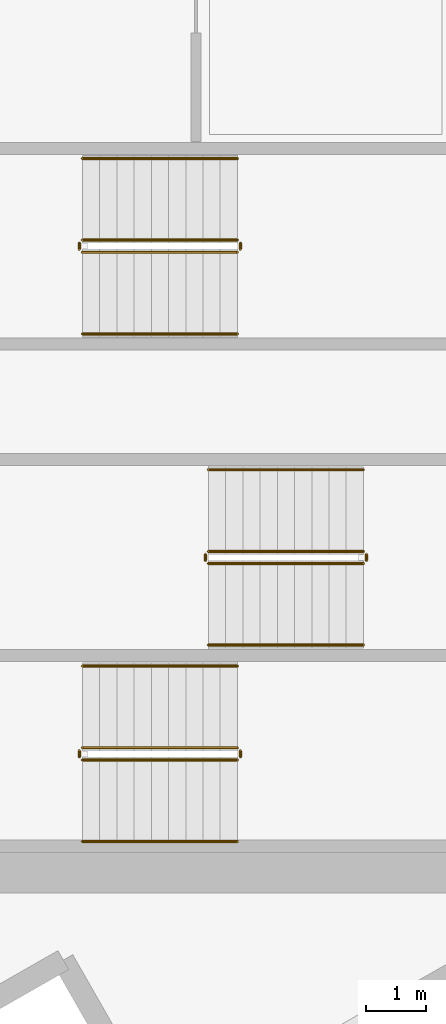
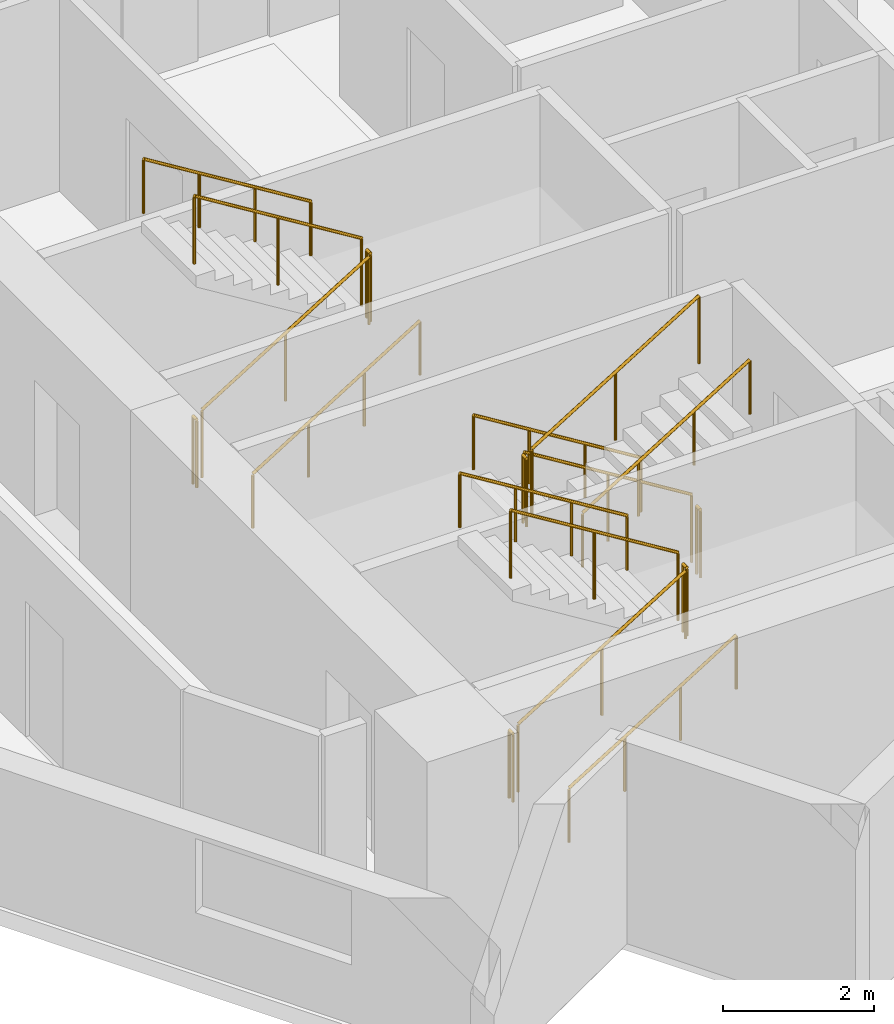
# One storey, part 12 of 13: 18 railings.
"""IFC4 building model written with IfcOpenShell, lengths in metres."""

from ifc_helpers import new_model, si_unit, direction, frame, origin, origin_2d, place, context, subcontext, project, spatial, circle, extrude, material, type_object, element, save


model = new_model("IFC4")

# Units and contexts
model_context = context("Model", 3, precision=1e-05, world=origin(), true_north=direction((0.0, 1.0)))
body_context = subcontext(model_context, "Body", "Model", "MODEL_VIEW")
ifc_project = project(units=[si_unit("LENGTHUNIT", "METRE"), si_unit("AREAUNIT", "SQUARE_METRE"), si_unit("VOLUMEUNIT", "CUBIC_METRE"), si_unit("PLANEANGLEUNIT", "RADIAN"), si_unit("MASSUNIT", "GRAM", prefix="KILO")], contexts=[model_context])

# Site, building, storey
site_placement = place(None, origin())
site = spatial("IfcSite", under=ifc_project, at=site_placement, CompositionType="ELEMENT")
building_placement = place(site_placement, origin())
building = spatial("IfcBuilding", under=site, at=building_placement, Name="Narakoshi Arena Tower", CompositionType="ELEMENT")
storey_placement = place(building_placement, frame((0.0, 0.0, 229.06005859375)))
storey = spatial("IfcBuildingStorey", under=building, at=storey_placement, Name="L62", CompositionType="ELEMENT", Elevation=229.06005859375)

# Railings
ifc_material_1 = material(Name="Clear low-iron laminated structural glass", Category="glass")
railing_type_1 = type_object("IfcRailingType", Name="RL-BAL-1100", PredefinedType="BALUSTRADE", material=ifc_material_1)
railing_1_placement = place(storey_placement, frame((74.39990234375, 36.949951171875, 0.176025390625)))
element("IfcRailing", 1, at=railing_1_placement, inside=storey, type_object=railing_type_1, Name="L62 ST1 stair guard 1", PredefinedType="BALUSTRADE", context=body_context, shape_type="SweptSolid", body=[
    extrude(circle(Radius=0.02392578125, at=origin_2d()), frame((0.0, 0.0, 1.09619140625), z_axis=(0.850856559306, 0.0, 0.525398054323), x_axis=(0.0, 1.0, 0.0)), (0.0, 0.0, 1.0), 3.014892578125),
    extrude(circle(Radius=0.02099609375, at=origin_2d()), origin(), (0.0, 0.0, 1.0), 1.072021484375),
    extrude(circle(Radius=0.02099609375, at=origin_2d()), frame((1.28271484375, 0.0, 0.7919921875)), (0.0, 0.0, 1.0), 1.072021484375),
    extrude(circle(Radius=0.02099609375, at=origin_2d()), frame((2.565185546875, 0.0, 1.583984375)), (0.0, 0.0, 1.0), 1.072021484375),
])
railing_2_placement = place(storey_placement, frame((77.014892578125, 37.0, 1.760009765625)))
element("IfcRailing", 2, at=railing_2_placement, inside=storey, type_object=railing_type_1, Name="L62 ST1 stair guard 2", PredefinedType="BALUSTRADE", context=body_context, shape_type="SweptSolid", body=[
    extrude(circle(Radius=0.02392578125, at=origin_2d()), frame((0.0, 0.0, 1.09619140625), z_axis=(0.0, 1.0, 0.0), x_axis=(-1.0, 0.0, 0.0)), (0.0, 0.0, 1.0), 0.10009765625),
    extrude(circle(Radius=0.02099609375, at=origin_2d()), origin(), (0.0, 0.0, 1.0), 1.072021484375),
    extrude(circle(Radius=0.02099609375, at=origin_2d()), frame((0.0, 0.10009765625, 0.0)), (0.0, 0.0, 1.0), 1.072021484375),
])
railing_3_placement = place(storey_placement, frame((76.965087890625, 37.14990234375, 1.93603515625)))
element("IfcRailing", 3, at=railing_3_placement, inside=storey, type_object=railing_type_1, Name="L62 ST1 stair guard 3", PredefinedType="BALUSTRADE", context=body_context, shape_type="SweptSolid", body=[
    extrude(circle(Radius=0.02392578125, at=origin_2d()), frame((0.0, 0.0, 1.09619140625), z_axis=(-0.850856559306, 0.0, 0.525398054323), x_axis=(0.0, -1.0, 0.0)), (0.0, 0.0, 1.0), 3.014892578125),
    extrude(circle(Radius=0.02099609375, at=origin_2d()), origin(), (0.0, 0.0, 1.0), 1.072021484375),
    extrude(circle(Radius=0.02099609375, at=origin_2d()), frame((-1.28271484375, 0.0, 0.7919921875)), (0.0, 0.0, 1.0), 1.072021484375),
    extrude(circle(Radius=0.02099609375, at=origin_2d()), frame((-2.565185546875, 0.0, 1.583984375)), (0.0, 0.0, 1.0), 1.072021484375),
])
railing_4_placement = place(storey_placement, frame((74.35009765625, 37.0, 0.0)))
element("IfcRailing", 4, at=railing_4_placement, inside=storey, type_object=railing_type_1, Name="L62 ST1 stair guard 4", PredefinedType="BALUSTRADE", context=body_context, shape_type="SweptSolid", body=[
    extrude(circle(Radius=0.02392578125, at=origin_2d()), frame((0.0, 0.0, 1.09619140625), z_axis=(0.0, 1.0, 0.0), x_axis=(-1.0, 0.0, 0.0)), (0.0, 0.0, 1.0), 0.10009765625),
    extrude(circle(Radius=0.02099609375, at=origin_2d()), origin(), (0.0, 0.0, 1.0), 1.072021484375),
    extrude(circle(Radius=0.02099609375, at=origin_2d()), frame((0.0, 0.10009765625, 0.0)), (0.0, 0.0, 1.0), 1.072021484375),
])
railing_5_placement = place(storey_placement, frame((79.050048828125, 40.39990234375, 0.176025390625)))
element("IfcRailing", 5, at=railing_5_placement, inside=storey, type_object=railing_type_1, Name="L62 ST2 stair guard 1", PredefinedType="BALUSTRADE", context=body_context, shape_type="SweptSolid", body=[
    extrude(circle(Radius=0.02392578125, at=origin_2d()), frame((0.0, 0.0, 1.09619140625), z_axis=(-0.850834203031, 0.0, 0.525434257497), x_axis=(0.0, -1.0, 0.0)), (0.0, 0.0, 1.0), 3.0146484375),
    extrude(circle(Radius=0.02099609375, at=origin_2d()), origin(), (0.0, 0.0, 1.0), 1.072021484375),
    extrude(circle(Radius=0.02099609375, at=origin_2d()), frame((-1.282470703125, 0.0, 0.7919921875)), (0.0, 0.0, 1.0), 1.072021484375),
    extrude(circle(Radius=0.02099609375, at=origin_2d()), frame((-2.56494140625, 0.0, 1.583984375)), (0.0, 0.0, 1.0), 1.072021484375),
])
railing_6_placement = place(storey_placement, frame((76.43505859375, 40.35009765625, 1.760009765625)))
element("IfcRailing", 6, at=railing_6_placement, inside=storey, type_object=railing_type_1, Name="L62 ST2 stair guard 2", PredefinedType="BALUSTRADE", context=body_context, shape_type="SweptSolid", body=[
    extrude(circle(Radius=0.02392578125, at=origin_2d()), frame((0.0, 0.0, 1.09619140625), z_axis=(0.0, -1.0, 0.0), x_axis=(1.0, 0.0, 0.0)), (0.0, 0.0, 1.0), 0.10009765625),
    extrude(circle(Radius=0.02099609375, at=origin_2d()), origin(), (0.0, 0.0, 1.0), 1.072021484375),
    extrude(circle(Radius=0.02099609375, at=origin_2d()), frame((0.0, -0.10009765625, 0.0)), (0.0, 0.0, 1.0), 1.072021484375),
])
railing_7_placement = place(storey_placement, frame((76.485107421875, 40.199951171875, 1.93603515625)))
element("IfcRailing", 7, at=railing_7_placement, inside=storey, type_object=railing_type_1, Name="L62 ST2 stair guard 3", PredefinedType="BALUSTRADE", context=body_context, shape_type="SweptSolid", body=[
    extrude(circle(Radius=0.02392578125, at=origin_2d()), frame((0.0, 0.0, 1.09619140625), z_axis=(0.850834203031, 0.0, 0.525434257497), x_axis=(0.0, 1.0, 0.0)), (0.0, 0.0, 1.0), 3.0146484375),
    extrude(circle(Radius=0.02099609375, at=origin_2d()), origin(), (0.0, 0.0, 1.0), 1.072021484375),
    extrude(circle(Radius=0.02099609375, at=origin_2d()), frame((1.282470703125, 0.0, 0.7919921875)), (0.0, 0.0, 1.0), 1.072021484375),
    extrude(circle(Radius=0.02099609375, at=origin_2d()), frame((2.56494140625, 0.0, 1.583984375)), (0.0, 0.0, 1.0), 1.072021484375),
])
railing_8_placement = place(storey_placement, frame((79.10009765625, 40.35009765625, 0.0)))
element("IfcRailing", 8, at=railing_8_placement, inside=storey, type_object=railing_type_1, Name="L62 ST2 stair guard 4", PredefinedType="BALUSTRADE", context=body_context, shape_type="SweptSolid", body=[
    extrude(circle(Radius=0.02392578125, at=origin_2d()), frame((0.0, 0.0, 1.09619140625), z_axis=(0.0, -1.0, 0.0), x_axis=(1.0, 0.0, 0.0)), (0.0, 0.0, 1.0), 0.10009765625),
    extrude(circle(Radius=0.02099609375, at=origin_2d()), origin(), (0.0, 0.0, 1.0), 1.072021484375),
    extrude(circle(Radius=0.02099609375, at=origin_2d()), frame((0.0, -0.10009765625, 0.0)), (0.0, 0.0, 1.0), 1.072021484375),
])
railing_9_placement = place(storey_placement, frame((74.39990234375, 45.35009765625, 0.176025390625)))
element("IfcRailing", 9, at=railing_9_placement, inside=storey, type_object=railing_type_1, Name="L62 ST3 stair guard 1", PredefinedType="BALUSTRADE", context=body_context, shape_type="SweptSolid", body=[
    extrude(circle(Radius=0.02392578125, at=origin_2d()), frame((0.0, 0.0, 1.09619140625), z_axis=(0.850856559306, 0.0, 0.525398054323), x_axis=(0.0, 1.0, 0.0)), (0.0, 0.0, 1.0), 3.014892578125),
    extrude(circle(Radius=0.02099609375, at=origin_2d()), origin(), (0.0, 0.0, 1.0), 1.072021484375),
    extrude(circle(Radius=0.02099609375, at=origin_2d()), frame((1.28271484375, 0.0, 0.7919921875)), (0.0, 0.0, 1.0), 1.072021484375),
    extrude(circle(Radius=0.02099609375, at=origin_2d()), frame((2.565185546875, 0.0, 1.583984375)), (0.0, 0.0, 1.0), 1.072021484375),
])
railing_10_placement = place(storey_placement, frame((77.014892578125, 45.39990234375, 1.760009765625)))
element("IfcRailing", 10, at=railing_10_placement, inside=storey, type_object=railing_type_1, Name="L62 ST3 stair guard 2", PredefinedType="BALUSTRADE", context=body_context, shape_type="SweptSolid", body=[
    extrude(circle(Radius=0.02392578125, at=origin_2d()), frame((0.0, 0.0, 1.09619140625), z_axis=(0.0, 1.0, 0.0), x_axis=(-1.0, 0.0, 0.0)), (0.0, 0.0, 1.0), 0.10009765625),
    extrude(circle(Radius=0.02099609375, at=origin_2d()), origin(), (0.0, 0.0, 1.0), 1.072021484375),
    extrude(circle(Radius=0.02099609375, at=origin_2d()), frame((0.0, 0.10009765625, 0.0)), (0.0, 0.0, 1.0), 1.072021484375),
])
railing_11_placement = place(storey_placement, frame((76.965087890625, 45.550048828125, 1.93603515625)))
element("IfcRailing", 11, at=railing_11_placement, inside=storey, type_object=railing_type_1, Name="L62 ST3 stair guard 3", PredefinedType="BALUSTRADE", context=body_context, shape_type="SweptSolid", body=[
    extrude(circle(Radius=0.02392578125, at=origin_2d()), frame((0.0, 0.0, 1.09619140625), z_axis=(-0.850856559306, 0.0, 0.525398054323), x_axis=(0.0, -1.0, 0.0)), (0.0, 0.0, 1.0), 3.014892578125),
    extrude(circle(Radius=0.02099609375, at=origin_2d()), origin(), (0.0, 0.0, 1.0), 1.072021484375),
    extrude(circle(Radius=0.02099609375, at=origin_2d()), frame((-1.28271484375, 0.0, 0.7919921875)), (0.0, 0.0, 1.0), 1.072021484375),
    extrude(circle(Radius=0.02099609375, at=origin_2d()), frame((-2.565185546875, 0.0, 1.583984375)), (0.0, 0.0, 1.0), 1.072021484375),
])
railing_12_placement = place(storey_placement, frame((74.35009765625, 45.39990234375, 0.0)))
element("IfcRailing", 12, at=railing_12_placement, inside=storey, type_object=railing_type_1, Name="L62 ST3 stair guard 4", PredefinedType="BALUSTRADE", context=body_context, shape_type="SweptSolid", body=[
    extrude(circle(Radius=0.02392578125, at=origin_2d()), frame((0.0, 0.0, 1.09619140625), z_axis=(0.0, 1.0, 0.0), x_axis=(-1.0, 0.0, 0.0)), (0.0, 0.0, 1.0), 0.10009765625),
    extrude(circle(Radius=0.02099609375, at=origin_2d()), origin(), (0.0, 0.0, 1.0), 1.072021484375),
    extrude(circle(Radius=0.02099609375, at=origin_2d()), frame((0.0, 0.10009765625, 0.0)), (0.0, 0.0, 1.0), 1.072021484375),
])
ifc_material_2 = material(Name="Brushed bronze stainless steel", Category="steel")
railing_type_2 = type_object("IfcRailingType", Name="RL-HND-900", PredefinedType="HANDRAIL", material=ifc_material_2)
railing_13_placement = place(storey_placement, frame((74.39990234375, 35.60009765625, 0.176025390625)))
element("IfcRailing", 13, at=railing_13_placement, inside=storey, type_object=railing_type_2, Name="L62 ST1 stair handrail 1", PredefinedType="HANDRAIL", context=body_context, shape_type="SweptSolid", body=[
    extrude(circle(Radius=0.02392578125, at=origin_2d()), frame((0.0, 0.0, 0.8759765625), z_axis=(0.850856559306, 0.0, 0.525398054323), x_axis=(0.0, 1.0, 0.0)), (0.0, 0.0, 1.0), 3.014892578125),
    extrude(circle(Radius=0.02099609375, at=origin_2d()), origin(), (0.0, 0.0, 1.0), 0.851806640625),
    extrude(circle(Radius=0.02099609375, at=origin_2d()), frame((0.85498046875, 0.0, 0.528076171875)), (0.0, 0.0, 1.0), 0.851806640625),
    extrude(circle(Radius=0.02099609375, at=origin_2d()), frame((1.710205078125, 0.0, 1.055908203125)), (0.0, 0.0, 1.0), 0.851806640625),
    extrude(circle(Radius=0.02099609375, at=origin_2d()), frame((2.565185546875, 0.0, 1.583984375)), (0.0, 0.0, 1.0), 0.851806640625),
])
railing_14_placement = place(storey_placement, frame((76.965087890625, 38.5, 1.93603515625)))
element("IfcRailing", 14, at=railing_14_placement, inside=storey, type_object=railing_type_2, Name="L62 ST1 stair handrail 2", PredefinedType="HANDRAIL", context=body_context, shape_type="SweptSolid", body=[
    extrude(circle(Radius=0.02392578125, at=origin_2d()), frame((0.0, 0.0, 0.8759765625), z_axis=(-0.850856559306, 0.0, 0.525398054323), x_axis=(0.0, -1.0, 0.0)), (0.0, 0.0, 1.0), 3.014892578125),
    extrude(circle(Radius=0.02099609375, at=origin_2d()), origin(), (0.0, 0.0, 1.0), 0.851806640625),
    extrude(circle(Radius=0.02099609375, at=origin_2d()), frame((-0.85498046875, 0.0, 0.528076171875)), (0.0, 0.0, 1.0), 0.851806640625),
    extrude(circle(Radius=0.02099609375, at=origin_2d()), frame((-1.710205078125, 0.0, 1.055908203125)), (0.0, 0.0, 1.0), 0.851806640625),
    extrude(circle(Radius=0.02099609375, at=origin_2d()), frame((-2.565185546875, 0.0, 1.583984375)), (0.0, 0.0, 1.0), 0.851806640625),
])
railing_15_placement = place(storey_placement, frame((79.050048828125, 41.75, 0.176025390625)))
element("IfcRailing", 15, at=railing_15_placement, inside=storey, type_object=railing_type_2, Name="L62 ST2 stair handrail 1", PredefinedType="HANDRAIL", context=body_context, shape_type="SweptSolid", body=[
    extrude(circle(Radius=0.02392578125, at=origin_2d()), frame((0.0, 0.0, 0.8759765625), z_axis=(-0.850834203031, 0.0, 0.525434257497), x_axis=(0.0, -1.0, 0.0)), (0.0, 0.0, 1.0), 3.0146484375),
    extrude(circle(Radius=0.02099609375, at=origin_2d()), origin(), (0.0, 0.0, 1.0), 0.851806640625),
    extrude(circle(Radius=0.02099609375, at=origin_2d()), frame((-0.85498046875, 0.0, 0.528076171875)), (0.0, 0.0, 1.0), 0.851806640625),
    extrude(circle(Radius=0.02099609375, at=origin_2d()), frame((-1.7099609375, 0.0, 1.055908203125)), (0.0, 0.0, 1.0), 0.851806640625),
    extrude(circle(Radius=0.02099609375, at=origin_2d()), frame((-2.56494140625, 0.0, 1.583984375)), (0.0, 0.0, 1.0), 0.851806640625),
])
railing_16_placement = place(storey_placement, frame((76.485107421875, 38.85009765625, 1.93603515625)))
element("IfcRailing", 16, at=railing_16_placement, inside=storey, type_object=railing_type_2, Name="L62 ST2 stair handrail 2", PredefinedType="HANDRAIL", context=body_context, shape_type="SweptSolid", body=[
    extrude(circle(Radius=0.02392578125, at=origin_2d()), frame((0.0, 0.0, 0.8759765625), z_axis=(0.850834203031, 0.0, 0.525434257497), x_axis=(0.0, 1.0, 0.0)), (0.0, 0.0, 1.0), 3.0146484375),
    extrude(circle(Radius=0.02099609375, at=origin_2d()), origin(), (0.0, 0.0, 1.0), 0.851806640625),
    extrude(circle(Radius=0.02099609375, at=origin_2d()), frame((0.85498046875, 0.0, 0.528076171875)), (0.0, 0.0, 1.0), 0.851806640625),
    extrude(circle(Radius=0.02099609375, at=origin_2d()), frame((1.7099609375, 0.0, 1.055908203125)), (0.0, 0.0, 1.0), 0.851806640625),
    extrude(circle(Radius=0.02099609375, at=origin_2d()), frame((2.56494140625, 0.0, 1.583984375)), (0.0, 0.0, 1.0), 0.851806640625),
])
railing_17_placement = place(storey_placement, frame((74.39990234375, 44.0, 0.176025390625)))
element("IfcRailing", 17, at=railing_17_placement, inside=storey, type_object=railing_type_2, Name="L62 ST3 stair handrail 1", PredefinedType="HANDRAIL", context=body_context, shape_type="SweptSolid", body=[
    extrude(circle(Radius=0.02392578125, at=origin_2d()), frame((0.0, 0.0, 0.8759765625), z_axis=(0.850856559306, 0.0, 0.525398054323), x_axis=(0.0, 1.0, 0.0)), (0.0, 0.0, 1.0), 3.014892578125),
    extrude(circle(Radius=0.02099609375, at=origin_2d()), origin(), (0.0, 0.0, 1.0), 0.851806640625),
    extrude(circle(Radius=0.02099609375, at=origin_2d()), frame((0.85498046875, 0.0, 0.528076171875)), (0.0, 0.0, 1.0), 0.851806640625),
    extrude(circle(Radius=0.02099609375, at=origin_2d()), frame((1.710205078125, 0.0, 1.055908203125)), (0.0, 0.0, 1.0), 0.851806640625),
    extrude(circle(Radius=0.02099609375, at=origin_2d()), frame((2.565185546875, 0.0, 1.583984375)), (0.0, 0.0, 1.0), 0.851806640625),
])
railing_18_placement = place(storey_placement, frame((76.965087890625, 46.89990234375, 1.93603515625)))
element("IfcRailing", 18, at=railing_18_placement, inside=storey, type_object=railing_type_2, Name="L62 ST3 stair handrail 2", PredefinedType="HANDRAIL", context=body_context, shape_type="SweptSolid", body=[
    extrude(circle(Radius=0.02392578125, at=origin_2d()), frame((0.0, 0.0, 0.8759765625), z_axis=(-0.850856559306, 0.0, 0.525398054323), x_axis=(0.0, -1.0, 0.0)), (0.0, 0.0, 1.0), 3.014892578125),
    extrude(circle(Radius=0.02099609375, at=origin_2d()), origin(), (0.0, 0.0, 1.0), 0.851806640625),
    extrude(circle(Radius=0.02099609375, at=origin_2d()), frame((-0.85498046875, 0.0, 0.528076171875)), (0.0, 0.0, 1.0), 0.851806640625),
    extrude(circle(Radius=0.02099609375, at=origin_2d()), frame((-1.710205078125, 0.0, 1.055908203125)), (0.0, 0.0, 1.0), 0.851806640625),
    extrude(circle(Radius=0.02099609375, at=origin_2d()), frame((-2.565185546875, 0.0, 1.583984375)), (0.0, 0.0, 1.0), 0.851806640625),
])

save(model, "model.ifc")
